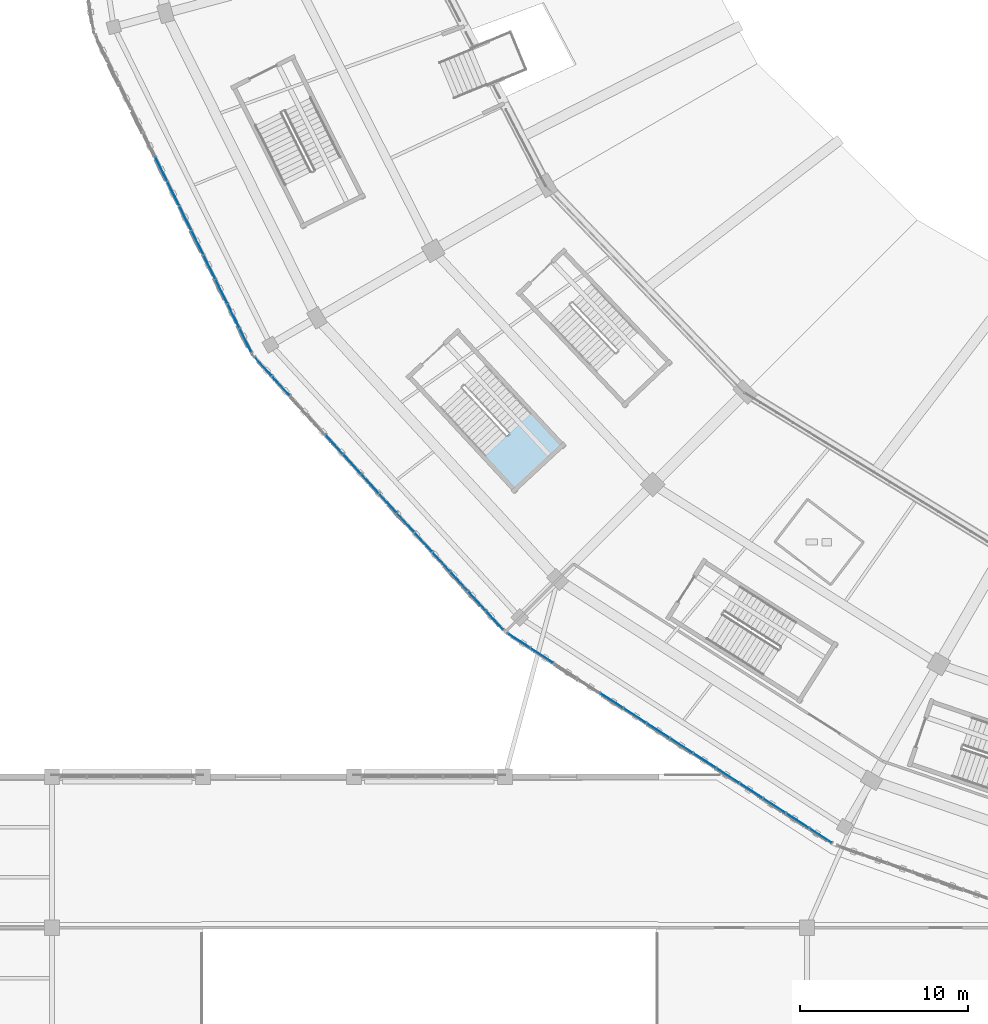
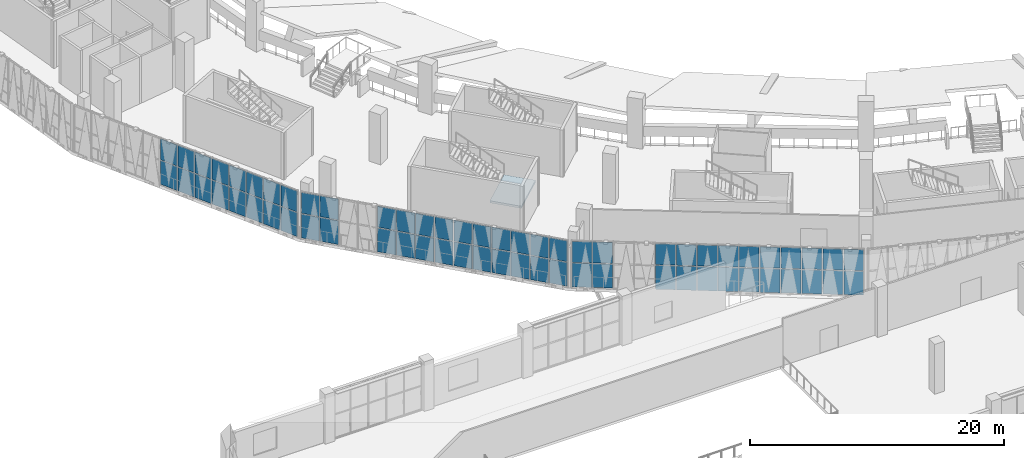
# One storey, part 73 of 183: 64 plates, 1 slab, 4 elements without a shape of their own.
"""IFC4 building model written with IfcOpenShell, lengths in metres."""

from ifc_helpers import new_model, si_unit, direction, frame, origin, origin_2d, place, context, subcontext, project, spatial, polyline, rectangle, outline, extrude, material, layer, layer_set, type_object, element, aggregate, save


model = new_model("IFC4")

# Units and contexts
model_context = context("Model", 3, precision=1e-05, world=origin(), true_north=direction((0.0, 1.0)))
body_context = subcontext(model_context, "Body", "Model", "MODEL_VIEW")
ifc_project = project(units=[si_unit("LENGTHUNIT", "METRE"), si_unit("AREAUNIT", "SQUARE_METRE"), si_unit("VOLUMEUNIT", "CUBIC_METRE"), si_unit("PLANEANGLEUNIT", "RADIAN"), si_unit("MASSUNIT", "GRAM", prefix="KILO")], contexts=[model_context])

# Site, building, storey
site_placement = place(None, origin())
site = spatial("IfcSite", under=ifc_project, at=site_placement, CompositionType="ELEMENT")
building_placement = place(site_placement, origin())
building = spatial("IfcBuilding", under=site, at=building_placement, Name="Zevraka Park Crest Stadium", CompositionType="ELEMENT")
storey_placement = place(building_placement, frame((0.0, 0.0, 5.39990234375)))
storey = spatial("IfcBuildingStorey", under=building, at=storey_placement, Name="L01", CompositionType="ELEMENT", Elevation=5.39990234375)

# Curtain wall, plates
ifc_material_1 = material(Name="Anodised architectural aluminium and laminated safety glass", Category="aluminium")
curtain_wall_type_1 = type_object("IfcCurtainWallType", Name="CW02", PredefinedType="NOTDEFINED", material=ifc_material_1)
curtain_wall_1_placement = place(storey_placement, origin())
curtain_wall_1 = element("IfcCurtainWall", 1, at=curtain_wall_1_placement, inside=storey, type_object=curtain_wall_type_1, Name="Unitised Ring Curtain Wall CW02 L01-13", PredefinedType="NOTDEFINED")
ifc_material_2 = material(Name="Solar-control laminated double glazing", Category="glass")
ifc_layer_1 = layer(ifc_material_2, 0.028076171875)
ifc_layer_set_1 = layer_set([ifc_layer_1], Name="Solar-control laminated double glazing")
plate_type_1 = type_object("IfcPlateType", Name="CP02", PredefinedType="CURTAIN_PANEL", material=ifc_layer_set_1)
plate_1_placement = place(storey_placement, frame((24.5185546875, 63.2197265625, 0.06494140625), z_axis=(0.0, 0.0, 1.0), x_axis=(0.44151730924, -0.897252732312, 0.0)))
plate_1 = element("IfcPlate", 2, at=plate_1_placement, type_object=plate_type_1, Name="CW02 panel 6.1", PredefinedType="CURTAIN_PANEL", context=body_context, shape_type="SweptSolid", body=[
    extrude(rectangle(XDim=1.5634765625, YDim=0.028076171875, at=origin_2d()), origin(), (0.0, 0.0, 1.0), 2.302490234375),
])
plate_2_placement = place(storey_placement, frame((24.5185546875, 63.2197265625, 2.4326171875), z_axis=(0.0, 0.0, 1.0), x_axis=(0.44151730924, -0.897252732312, 0.0)))
plate_2 = element("IfcPlate", 3, at=plate_2_placement, type_object=plate_type_1, Name="CW02 panel 6.2", PredefinedType="CURTAIN_PANEL", context=body_context, shape_type="SweptSolid", body=[
    extrude(rectangle(XDim=1.5634765625, YDim=0.028076171875, at=origin_2d()), origin(), (0.0, 0.0, 1.0), 2.0224609375),
])
plate_3_placement = place(storey_placement, frame((25.237548828125, 61.758544921875, 0.06494140625), z_axis=(0.0, 0.0, 1.0), x_axis=(0.44151730924, -0.897252732312, 0.0)))
plate_3 = element("IfcPlate", 4, at=plate_3_placement, type_object=plate_type_1, Name="CW02 panel 7.1", PredefinedType="CURTAIN_PANEL", context=body_context, shape_type="SweptSolid", body=[
    extrude(rectangle(XDim=1.5634765625, YDim=0.028076171875, at=origin_2d()), origin(), (0.0, 0.0, 1.0), 2.302490234375),
])
plate_4_placement = place(storey_placement, frame((25.237548828125, 61.758544921875, 2.4326171875), z_axis=(0.0, 0.0, 1.0), x_axis=(0.44151730924, -0.897252732312, 0.0)))
plate_4 = element("IfcPlate", 5, at=plate_4_placement, type_object=plate_type_1, Name="CW02 panel 7.2", PredefinedType="CURTAIN_PANEL", context=body_context, shape_type="SweptSolid", body=[
    extrude(rectangle(XDim=1.5634765625, YDim=0.028076171875, at=origin_2d()), origin(), (0.0, 0.0, 1.0), 2.0224609375),
])
plate_5_placement = place(storey_placement, frame((25.95654296875, 60.29736328125, 0.06494140625), z_axis=(0.0, 0.0, 1.0), x_axis=(0.44151730924, -0.897252732312, 0.0)))
plate_5 = element("IfcPlate", 6, at=plate_5_placement, type_object=plate_type_1, Name="CW02 panel 8.1", PredefinedType="CURTAIN_PANEL", context=body_context, shape_type="SweptSolid", body=[
    extrude(rectangle(XDim=1.5634765625, YDim=0.028076171875, at=origin_2d()), origin(), (0.0, 0.0, 1.0), 2.302490234375),
])
plate_6_placement = place(storey_placement, frame((25.95654296875, 60.29736328125, 2.4326171875), z_axis=(0.0, 0.0, 1.0), x_axis=(0.44151730924, -0.897252732312, 0.0)))
plate_6 = element("IfcPlate", 7, at=plate_6_placement, type_object=plate_type_1, Name="CW02 panel 8.2", PredefinedType="CURTAIN_PANEL", context=body_context, shape_type="SweptSolid", body=[
    extrude(rectangle(XDim=1.5634765625, YDim=0.028076171875, at=origin_2d()), origin(), (0.0, 0.0, 1.0), 2.0224609375),
])
plate_7_placement = place(storey_placement, frame((26.675537109375, 58.836181640625, 0.06494140625), z_axis=(0.0, 0.0, 1.0), x_axis=(0.44151730924, -0.897252732312, 0.0)))
plate_7 = element("IfcPlate", 8, at=plate_7_placement, type_object=plate_type_1, Name="CW02 panel 9.1", PredefinedType="CURTAIN_PANEL", context=body_context, shape_type="SweptSolid", body=[
    extrude(rectangle(XDim=1.5634765625, YDim=0.028076171875, at=origin_2d()), origin(), (0.0, 0.0, 1.0), 2.302490234375),
])
plate_8_placement = place(storey_placement, frame((26.675537109375, 58.836181640625, 2.4326171875), z_axis=(0.0, 0.0, 1.0), x_axis=(0.44151730924, -0.897252732312, 0.0)))
plate_8 = element("IfcPlate", 9, at=plate_8_placement, type_object=plate_type_1, Name="CW02 panel 9.2", PredefinedType="CURTAIN_PANEL", context=body_context, shape_type="SweptSolid", body=[
    extrude(rectangle(XDim=1.5634765625, YDim=0.028076171875, at=origin_2d()), origin(), (0.0, 0.0, 1.0), 2.0224609375),
])
plate_9_placement = place(storey_placement, frame((27.39453125, 57.375, 0.06494140625), z_axis=(0.0, 0.0, 1.0), x_axis=(0.44151730924, -0.897252732312, 0.0)))
plate_9 = element("IfcPlate", 10, at=plate_9_placement, type_object=plate_type_1, Name="CW02 panel 10.1", PredefinedType="CURTAIN_PANEL", context=body_context, shape_type="SweptSolid", body=[
    extrude(rectangle(XDim=1.5634765625, YDim=0.028076171875, at=origin_2d()), origin(), (0.0, 0.0, 1.0), 2.302490234375),
])
plate_10_placement = place(storey_placement, frame((27.39453125, 57.375, 2.4326171875), z_axis=(0.0, 0.0, 1.0), x_axis=(0.44151730924, -0.897252732312, 0.0)))
plate_10 = element("IfcPlate", 11, at=plate_10_placement, type_object=plate_type_1, Name="CW02 panel 10.2", PredefinedType="CURTAIN_PANEL", context=body_context, shape_type="SweptSolid", body=[
    extrude(rectangle(XDim=1.5634765625, YDim=0.028076171875, at=origin_2d()), origin(), (0.0, 0.0, 1.0), 2.0224609375),
])
plate_11_placement = place(storey_placement, frame((28.113525390625, 55.913818359375, 0.06494140625), z_axis=(0.0, 0.0, 1.0), x_axis=(0.44151730924, -0.897252732312, 0.0)))
plate_11 = element("IfcPlate", 12, at=plate_11_placement, type_object=plate_type_1, Name="CW02 panel 11.1", PredefinedType="CURTAIN_PANEL", context=body_context, shape_type="SweptSolid", body=[
    extrude(rectangle(XDim=1.5634765625, YDim=0.028076171875, at=origin_2d()), origin(), (0.0, 0.0, 1.0), 2.302490234375),
])
plate_12_placement = place(storey_placement, frame((28.113525390625, 55.913818359375, 2.4326171875), z_axis=(0.0, 0.0, 1.0), x_axis=(0.44151730924, -0.897252732312, 0.0)))
plate_12 = element("IfcPlate", 13, at=plate_12_placement, type_object=plate_type_1, Name="CW02 panel 11.2", PredefinedType="CURTAIN_PANEL", context=body_context, shape_type="SweptSolid", body=[
    extrude(rectangle(XDim=1.5634765625, YDim=0.028076171875, at=origin_2d()), origin(), (0.0, 0.0, 1.0), 2.0224609375),
])
plate_13_placement = place(storey_placement, frame((28.83251953125, 54.45263671875, 0.06494140625), z_axis=(0.0, 0.0, 1.0), x_axis=(0.44151730924, -0.897252732312, 0.0)))
plate_13 = element("IfcPlate", 14, at=plate_13_placement, type_object=plate_type_1, Name="CW02 panel 12.1", PredefinedType="CURTAIN_PANEL", context=body_context, shape_type="SweptSolid", body=[
    extrude(rectangle(XDim=1.5634765625, YDim=0.028076171875, at=origin_2d()), origin(), (0.0, 0.0, 1.0), 2.302490234375),
])
plate_14_placement = place(storey_placement, frame((28.83251953125, 54.45263671875, 2.4326171875), z_axis=(0.0, 0.0, 1.0), x_axis=(0.44151730924, -0.897252732312, 0.0)))
plate_14 = element("IfcPlate", 15, at=plate_14_placement, type_object=plate_type_1, Name="CW02 panel 12.2", PredefinedType="CURTAIN_PANEL", context=body_context, shape_type="SweptSolid", body=[
    extrude(rectangle(XDim=1.5634765625, YDim=0.028076171875, at=origin_2d()), origin(), (0.0, 0.0, 1.0), 2.0224609375),
])
plate_15_placement = place(storey_placement, frame((29.54443359375, 53.006103515625, 0.06494140625), z_axis=(0.0, 0.0, 1.0), x_axis=(0.44151730924, -0.897252732312, 0.0)))
plate_15 = element("IfcPlate", 16, at=plate_15_placement, type_object=plate_type_1, Name="CW02 panel 13.1", PredefinedType="CURTAIN_PANEL", context=body_context, shape_type="SweptSolid", body=[
    extrude(rectangle(XDim=1.531005859375, YDim=0.028076171875, at=origin_2d()), origin(), (0.0, 0.0, 1.0), 2.302490234375),
])
plate_16_placement = place(storey_placement, frame((29.54443359375, 53.006103515625, 2.4326171875), z_axis=(0.0, 0.0, 1.0), x_axis=(0.44151730924, -0.897252732312, 0.0)))
plate_16 = element("IfcPlate", 17, at=plate_16_placement, type_object=plate_type_1, Name="CW02 panel 13.2", PredefinedType="CURTAIN_PANEL", context=body_context, shape_type="SweptSolid", body=[
    extrude(rectangle(XDim=1.531005859375, YDim=0.028076171875, at=origin_2d()), origin(), (0.0, 0.0, 1.0), 2.0224609375),
])
aggregate(curtain_wall_1, [plate_1, plate_2, plate_3, plate_4, plate_5, plate_6, plate_7, plate_8, plate_9, plate_10, plate_11, plate_12, plate_13, plate_14, plate_15, plate_16])

ifc_material_3 = material(Name="Anodised architectural aluminium and laminated safety glass", Category="aluminium")
curtain_wall_type_2 = type_object("IfcCurtainWallType", Name="CW03", PredefinedType="NOTDEFINED", material=ifc_material_3)
curtain_wall_2_placement = place(storey_placement, origin())
curtain_wall_2 = element("IfcCurtainWall", 18, at=curtain_wall_2_placement, inside=storey, type_object=curtain_wall_type_2, Name="Unitised Ring Curtain Wall CW03 L01-14", PredefinedType="NOTDEFINED")
ifc_material_4 = material(Name="Solar-control laminated double glazing", Category="glass")
ifc_layer_2 = layer(ifc_material_4, 0.028076171875)
ifc_layer_set_2 = layer_set([ifc_layer_2], Name="Solar-control laminated double glazing")
plate_type_2 = type_object("IfcPlateType", Name="CP03", PredefinedType="CURTAIN_PANEL", material=ifc_layer_set_2)
plate_17_placement = place(storey_placement, frame((30.59716796875, 51.4541015625, 0.070068359375), z_axis=(0.0, 0.0, 1.0), x_axis=(0.673679672672, -0.739023476371, 0.0)))
plate_17 = element("IfcPlate", 19, at=plate_17_placement, type_object=plate_type_2, Name="CW03 panel 1.1", PredefinedType="CURTAIN_PANEL", context=body_context, shape_type="SweptSolid", body=[
    extrude(rectangle(XDim=1.472412109375, YDim=0.028076171875, at=origin_2d()), origin(), (0.0, 0.0, 1.0), 2.294921875),
])
plate_18_placement = place(storey_placement, frame((30.59716796875, 51.4541015625, 2.43505859375), z_axis=(0.0, 0.0, 1.0), x_axis=(0.673679672672, -0.739023476371, 0.0)))
plate_18 = element("IfcPlate", 20, at=plate_18_placement, type_object=plate_type_2, Name="CW03 panel 1.2", PredefinedType="CURTAIN_PANEL", context=body_context, shape_type="SweptSolid", body=[
    extrude(rectangle(XDim=1.472412109375, YDim=0.028076171875, at=origin_2d()), origin(), (0.0, 0.0, 1.0), 2.014892578125),
])
plate_19_placement = place(storey_placement, frame((31.64794921875, 50.301513671875, 0.070068359375), z_axis=(0.0, 0.0, 1.0), x_axis=(0.673679672672, -0.739023476371, 0.0)))
plate_19 = element("IfcPlate", 21, at=plate_19_placement, type_object=plate_type_2, Name="CW03 panel 2.1", PredefinedType="CURTAIN_PANEL", context=body_context, shape_type="SweptSolid", body=[
    extrude(rectangle(XDim=1.50732421875, YDim=0.028076171875, at=origin_2d()), origin(), (0.0, 0.0, 1.0), 2.294921875),
])
plate_20_placement = place(storey_placement, frame((31.64794921875, 50.301513671875, 2.43505859375), z_axis=(0.0, 0.0, 1.0), x_axis=(0.673679672672, -0.739023476371, 0.0)))
plate_20 = element("IfcPlate", 22, at=plate_20_placement, type_object=plate_type_2, Name="CW03 panel 2.2", PredefinedType="CURTAIN_PANEL", context=body_context, shape_type="SweptSolid", body=[
    extrude(rectangle(XDim=1.50732421875, YDim=0.028076171875, at=origin_2d()), origin(), (0.0, 0.0, 1.0), 2.014892578125),
])
plate_21_placement = place(storey_placement, frame((34.8359375, 46.80419921875, 0.070068359375), z_axis=(0.0, 0.0, 1.0), x_axis=(0.673679672672, -0.739023476371, 0.0)))
plate_21 = element("IfcPlate", 23, at=plate_21_placement, type_object=plate_type_2, Name="CW03 panel 5.1", PredefinedType="CURTAIN_PANEL", context=body_context, shape_type="SweptSolid", body=[
    extrude(rectangle(XDim=1.50732421875, YDim=0.028076171875, at=origin_2d()), origin(), (0.0, 0.0, 1.0), 2.294921875),
])
plate_22_placement = place(storey_placement, frame((34.8359375, 46.80419921875, 2.43505859375), z_axis=(0.0, 0.0, 1.0), x_axis=(0.673679672672, -0.739023476371, 0.0)))
plate_22 = element("IfcPlate", 24, at=plate_22_placement, type_object=plate_type_2, Name="CW03 panel 5.2", PredefinedType="CURTAIN_PANEL", context=body_context, shape_type="SweptSolid", body=[
    extrude(rectangle(XDim=1.50732421875, YDim=0.028076171875, at=origin_2d()), origin(), (0.0, 0.0, 1.0), 2.014892578125),
])
plate_23_placement = place(storey_placement, frame((35.8984375, 45.638671875, 0.070068359375), z_axis=(0.0, 0.0, 1.0), x_axis=(0.673679672672, -0.739023476371, 0.0)))
plate_23 = element("IfcPlate", 25, at=plate_23_placement, type_object=plate_type_2, Name="CW03 panel 6.1", PredefinedType="CURTAIN_PANEL", context=body_context, shape_type="SweptSolid", body=[
    extrude(rectangle(XDim=1.50732421875, YDim=0.028076171875, at=origin_2d()), origin(), (0.0, 0.0, 1.0), 2.294921875),
])
plate_24_placement = place(storey_placement, frame((35.8984375, 45.638671875, 2.43505859375), z_axis=(0.0, 0.0, 1.0), x_axis=(0.673679672672, -0.739023476371, 0.0)))
plate_24 = element("IfcPlate", 26, at=plate_24_placement, type_object=plate_type_2, Name="CW03 panel 6.2", PredefinedType="CURTAIN_PANEL", context=body_context, shape_type="SweptSolid", body=[
    extrude(rectangle(XDim=1.50732421875, YDim=0.028076171875, at=origin_2d()), origin(), (0.0, 0.0, 1.0), 2.014892578125),
])
plate_25_placement = place(storey_placement, frame((36.961181640625, 44.472900390625, 0.070068359375), z_axis=(0.0, 0.0, 1.0), x_axis=(0.673679672672, -0.739023476371, 0.0)))
plate_25 = element("IfcPlate", 27, at=plate_25_placement, type_object=plate_type_2, Name="CW03 panel 7.1", PredefinedType="CURTAIN_PANEL", context=body_context, shape_type="SweptSolid", body=[
    extrude(rectangle(XDim=1.50732421875, YDim=0.028076171875, at=origin_2d()), origin(), (0.0, 0.0, 1.0), 2.294921875),
])
plate_26_placement = place(storey_placement, frame((36.961181640625, 44.472900390625, 2.43505859375), z_axis=(0.0, 0.0, 1.0), x_axis=(0.673679672672, -0.739023476371, 0.0)))
plate_26 = element("IfcPlate", 28, at=plate_26_placement, type_object=plate_type_2, Name="CW03 panel 7.2", PredefinedType="CURTAIN_PANEL", context=body_context, shape_type="SweptSolid", body=[
    extrude(rectangle(XDim=1.50732421875, YDim=0.028076171875, at=origin_2d()), origin(), (0.0, 0.0, 1.0), 2.014892578125),
])
plate_27_placement = place(storey_placement, frame((38.02392578125, 43.30712890625, 0.070068359375), z_axis=(0.0, 0.0, 1.0), x_axis=(0.673679672672, -0.739023476371, 0.0)))
plate_27 = element("IfcPlate", 29, at=plate_27_placement, type_object=plate_type_2, Name="CW03 panel 8.1", PredefinedType="CURTAIN_PANEL", context=body_context, shape_type="SweptSolid", body=[
    extrude(rectangle(XDim=1.50732421875, YDim=0.028076171875, at=origin_2d()), origin(), (0.0, 0.0, 1.0), 2.294921875),
])
plate_28_placement = place(storey_placement, frame((38.02392578125, 43.30712890625, 2.43505859375), z_axis=(0.0, 0.0, 1.0), x_axis=(0.673679672672, -0.739023476371, 0.0)))
plate_28 = element("IfcPlate", 30, at=plate_28_placement, type_object=plate_type_2, Name="CW03 panel 8.2", PredefinedType="CURTAIN_PANEL", context=body_context, shape_type="SweptSolid", body=[
    extrude(rectangle(XDim=1.50732421875, YDim=0.028076171875, at=origin_2d()), origin(), (0.0, 0.0, 1.0), 2.014892578125),
])
plate_29_placement = place(storey_placement, frame((39.08642578125, 42.141357421875, 0.070068359375), z_axis=(0.0, 0.0, 1.0), x_axis=(0.673679672672, -0.739023476371, 0.0)))
plate_29 = element("IfcPlate", 31, at=plate_29_placement, type_object=plate_type_2, Name="CW03 panel 9.1", PredefinedType="CURTAIN_PANEL", context=body_context, shape_type="SweptSolid", body=[
    extrude(rectangle(XDim=1.50732421875, YDim=0.028076171875, at=origin_2d()), origin(), (0.0, 0.0, 1.0), 2.294921875),
])
plate_30_placement = place(storey_placement, frame((39.08642578125, 42.141357421875, 2.43505859375), z_axis=(0.0, 0.0, 1.0), x_axis=(0.673679672672, -0.739023476371, 0.0)))
plate_30 = element("IfcPlate", 32, at=plate_30_placement, type_object=plate_type_2, Name="CW03 panel 9.2", PredefinedType="CURTAIN_PANEL", context=body_context, shape_type="SweptSolid", body=[
    extrude(rectangle(XDim=1.50732421875, YDim=0.028076171875, at=origin_2d()), origin(), (0.0, 0.0, 1.0), 2.014892578125),
])
plate_31_placement = place(storey_placement, frame((40.149169921875, 40.975830078125, 0.070068359375), z_axis=(0.0, 0.0, 1.0), x_axis=(0.673679672672, -0.739023476371, 0.0)))
plate_31 = element("IfcPlate", 33, at=plate_31_placement, type_object=plate_type_2, Name="CW03 panel 10.1", PredefinedType="CURTAIN_PANEL", context=body_context, shape_type="SweptSolid", body=[
    extrude(rectangle(XDim=1.50732421875, YDim=0.028076171875, at=origin_2d()), origin(), (0.0, 0.0, 1.0), 2.294921875),
])
plate_32_placement = place(storey_placement, frame((40.149169921875, 40.975830078125, 2.43505859375), z_axis=(0.0, 0.0, 1.0), x_axis=(0.673679672672, -0.739023476371, 0.0)))
plate_32 = element("IfcPlate", 34, at=plate_32_placement, type_object=plate_type_2, Name="CW03 panel 10.2", PredefinedType="CURTAIN_PANEL", context=body_context, shape_type="SweptSolid", body=[
    extrude(rectangle(XDim=1.50732421875, YDim=0.028076171875, at=origin_2d()), origin(), (0.0, 0.0, 1.0), 2.014892578125),
])
plate_33_placement = place(storey_placement, frame((41.211669921875, 39.81005859375, 0.070068359375), z_axis=(0.0, 0.0, 1.0), x_axis=(0.673679672672, -0.739023476371, 0.0)))
plate_33 = element("IfcPlate", 35, at=plate_33_placement, type_object=plate_type_2, Name="CW03 panel 11.1", PredefinedType="CURTAIN_PANEL", context=body_context, shape_type="SweptSolid", body=[
    extrude(rectangle(XDim=1.50732421875, YDim=0.028076171875, at=origin_2d()), origin(), (0.0, 0.0, 1.0), 2.294921875),
])
plate_34_placement = place(storey_placement, frame((41.211669921875, 39.81005859375, 2.43505859375), z_axis=(0.0, 0.0, 1.0), x_axis=(0.673679672672, -0.739023476371, 0.0)))
plate_34 = element("IfcPlate", 36, at=plate_34_placement, type_object=plate_type_2, Name="CW03 panel 11.2", PredefinedType="CURTAIN_PANEL", context=body_context, shape_type="SweptSolid", body=[
    extrude(rectangle(XDim=1.50732421875, YDim=0.028076171875, at=origin_2d()), origin(), (0.0, 0.0, 1.0), 2.014892578125),
])
plate_35_placement = place(storey_placement, frame((42.2744140625, 38.644287109375, 0.070068359375), z_axis=(0.0, 0.0, 1.0), x_axis=(0.673679672672, -0.739023476371, 0.0)))
plate_35 = element("IfcPlate", 37, at=plate_35_placement, type_object=plate_type_2, Name="CW03 panel 12.1", PredefinedType="CURTAIN_PANEL", context=body_context, shape_type="SweptSolid", body=[
    extrude(rectangle(XDim=1.50732421875, YDim=0.028076171875, at=origin_2d()), origin(), (0.0, 0.0, 1.0), 2.294921875),
])
plate_36_placement = place(storey_placement, frame((42.2744140625, 38.644287109375, 2.43505859375), z_axis=(0.0, 0.0, 1.0), x_axis=(0.673679672672, -0.739023476371, 0.0)))
plate_36 = element("IfcPlate", 38, at=plate_36_placement, type_object=plate_type_2, Name="CW03 panel 12.2", PredefinedType="CURTAIN_PANEL", context=body_context, shape_type="SweptSolid", body=[
    extrude(rectangle(XDim=1.50732421875, YDim=0.028076171875, at=origin_2d()), origin(), (0.0, 0.0, 1.0), 2.014892578125),
])
plate_37_placement = place(storey_placement, frame((43.3369140625, 37.478515625, 0.070068359375), z_axis=(0.0, 0.0, 1.0), x_axis=(0.673679672672, -0.739023476371, 0.0)))
plate_37 = element("IfcPlate", 39, at=plate_37_placement, type_object=plate_type_2, Name="CW03 panel 13.1", PredefinedType="CURTAIN_PANEL", context=body_context, shape_type="SweptSolid", body=[
    extrude(rectangle(XDim=1.50732421875, YDim=0.028076171875, at=origin_2d()), origin(), (0.0, 0.0, 1.0), 2.294921875),
])
plate_38_placement = place(storey_placement, frame((43.3369140625, 37.478515625, 2.43505859375), z_axis=(0.0, 0.0, 1.0), x_axis=(0.673679672672, -0.739023476371, 0.0)))
plate_38 = element("IfcPlate", 40, at=plate_38_placement, type_object=plate_type_2, Name="CW03 panel 13.2", PredefinedType="CURTAIN_PANEL", context=body_context, shape_type="SweptSolid", body=[
    extrude(rectangle(XDim=1.50732421875, YDim=0.028076171875, at=origin_2d()), origin(), (0.0, 0.0, 1.0), 2.014892578125),
])
plate_39_placement = place(storey_placement, frame((44.387939453125, 36.32568359375, 0.070068359375), z_axis=(0.0, 0.0, 1.0), x_axis=(0.673679672672, -0.739023476371, 0.0)))
plate_39 = element("IfcPlate", 41, at=plate_39_placement, type_object=plate_type_2, Name="CW03 panel 14.1", PredefinedType="CURTAIN_PANEL", context=body_context, shape_type="SweptSolid", body=[
    extrude(rectangle(XDim=1.472412109375, YDim=0.028076171875, at=origin_2d()), origin(), (0.0, 0.0, 1.0), 2.294921875),
])
plate_40_placement = place(storey_placement, frame((44.387939453125, 36.32568359375, 2.43505859375), z_axis=(0.0, 0.0, 1.0), x_axis=(0.673679672672, -0.739023476371, 0.0)))
plate_40 = element("IfcPlate", 42, at=plate_40_placement, type_object=plate_type_2, Name="CW03 panel 14.2", PredefinedType="CURTAIN_PANEL", context=body_context, shape_type="SweptSolid", body=[
    extrude(rectangle(XDim=1.472412109375, YDim=0.028076171875, at=origin_2d()), origin(), (0.0, 0.0, 1.0), 2.014892578125),
])
aggregate(curtain_wall_2, [plate_17, plate_18, plate_19, plate_20, plate_21, plate_22, plate_23, plate_24, plate_25, plate_26, plate_27, plate_28, plate_29, plate_30, plate_31, plate_32, plate_33, plate_34, plate_35, plate_36, plate_37, plate_38, plate_39, plate_40])

curtain_wall_3_placement = place(storey_placement, origin())
curtain_wall_3 = element("IfcCurtainWall", 43, at=curtain_wall_3_placement, inside=storey, type_object=curtain_wall_type_2, Name="Unitised Ring Curtain Wall CW03 L01-15", PredefinedType="NOTDEFINED")
plate_41_placement = place(storey_placement, frame((45.83447265625, 35.10693359375, 0.070068359375), z_axis=(0.0, 0.0, 1.0), x_axis=(0.840010186018, -0.542570628938, 0.0)))
plate_41 = element("IfcPlate", 44, at=plate_41_placement, type_object=plate_type_2, Name="CW03 panel 1.1", PredefinedType="CURTAIN_PANEL", context=body_context, shape_type="SweptSolid", body=[
    extrude(rectangle(XDim=1.54443359375, YDim=0.028076171875, at=origin_2d()), origin(), (0.0, 0.0, 1.0), 2.294921875),
])
plate_42_placement = place(storey_placement, frame((45.83447265625, 35.10693359375, 2.43505859375), z_axis=(0.0, 0.0, 1.0), x_axis=(0.840010186018, -0.542570628938, 0.0)))
plate_42 = element("IfcPlate", 45, at=plate_42_placement, type_object=plate_type_2, Name="CW03 panel 1.2", PredefinedType="CURTAIN_PANEL", context=body_context, shape_type="SweptSolid", body=[
    extrude(rectangle(XDim=1.54443359375, YDim=0.028076171875, at=origin_2d()), origin(), (0.0, 0.0, 1.0), 2.014892578125),
])
plate_43_placement = place(storey_placement, frame((47.20556640625, 34.221435546875, 0.070068359375), z_axis=(0.0, 0.0, 1.0), x_axis=(0.840010186018, -0.542570628938, 0.0)))
plate_43 = element("IfcPlate", 46, at=plate_43_placement, type_object=plate_type_2, Name="CW03 panel 2.1", PredefinedType="CURTAIN_PANEL", context=body_context, shape_type="SweptSolid", body=[
    extrude(rectangle(XDim=1.57958984375, YDim=0.028076171875, at=origin_2d()), origin(), (0.0, 0.0, 1.0), 2.294921875),
])
plate_44_placement = place(storey_placement, frame((47.20556640625, 34.221435546875, 2.43505859375), z_axis=(0.0, 0.0, 1.0), x_axis=(0.840010186018, -0.542570628938, 0.0)))
plate_44 = element("IfcPlate", 47, at=plate_44_placement, type_object=plate_type_2, Name="CW03 panel 2.2", PredefinedType="CURTAIN_PANEL", context=body_context, shape_type="SweptSolid", body=[
    extrude(rectangle(XDim=1.57958984375, YDim=0.028076171875, at=origin_2d()), origin(), (0.0, 0.0, 1.0), 2.014892578125),
])
plate_45_placement = place(storey_placement, frame((51.3623046875, 31.53662109375, 0.070068359375), z_axis=(0.0, 0.0, 1.0), x_axis=(0.840010186018, -0.542570628938, 0.0)))
plate_45 = element("IfcPlate", 48, at=plate_45_placement, type_object=plate_type_2, Name="CW03 panel 5.1", PredefinedType="CURTAIN_PANEL", context=body_context, shape_type="SweptSolid", body=[
    extrude(rectangle(XDim=1.57958984375, YDim=0.028076171875, at=origin_2d()), origin(), (0.0, 0.0, 1.0), 2.294921875),
])
plate_46_placement = place(storey_placement, frame((51.3623046875, 31.53662109375, 2.43505859375), z_axis=(0.0, 0.0, 1.0), x_axis=(0.840010186018, -0.542570628938, 0.0)))
plate_46 = element("IfcPlate", 49, at=plate_46_placement, type_object=plate_type_2, Name="CW03 panel 5.2", PredefinedType="CURTAIN_PANEL", context=body_context, shape_type="SweptSolid", body=[
    extrude(rectangle(XDim=1.57958984375, YDim=0.028076171875, at=origin_2d()), origin(), (0.0, 0.0, 1.0), 2.014892578125),
])
plate_47_placement = place(storey_placement, frame((52.748046875, 30.6416015625, 0.070068359375), z_axis=(0.0, 0.0, 1.0), x_axis=(0.840010186018, -0.542570628938, 0.0)))
plate_47 = element("IfcPlate", 50, at=plate_47_placement, type_object=plate_type_2, Name="CW03 panel 6.1", PredefinedType="CURTAIN_PANEL", context=body_context, shape_type="SweptSolid", body=[
    extrude(rectangle(XDim=1.57958984375, YDim=0.028076171875, at=origin_2d()), origin(), (0.0, 0.0, 1.0), 2.294921875),
])
plate_48_placement = place(storey_placement, frame((52.748046875, 30.6416015625, 2.43505859375), z_axis=(0.0, 0.0, 1.0), x_axis=(0.840010186018, -0.542570628938, 0.0)))
plate_48 = element("IfcPlate", 51, at=plate_48_placement, type_object=plate_type_2, Name="CW03 panel 6.2", PredefinedType="CURTAIN_PANEL", context=body_context, shape_type="SweptSolid", body=[
    extrude(rectangle(XDim=1.57958984375, YDim=0.028076171875, at=origin_2d()), origin(), (0.0, 0.0, 1.0), 2.014892578125),
])
plate_49_placement = place(storey_placement, frame((54.1337890625, 29.74658203125, 0.070068359375), z_axis=(0.0, 0.0, 1.0), x_axis=(0.840010186018, -0.542570628938, 0.0)))
plate_49 = element("IfcPlate", 52, at=plate_49_placement, type_object=plate_type_2, Name="CW03 panel 7.1", PredefinedType="CURTAIN_PANEL", context=body_context, shape_type="SweptSolid", body=[
    extrude(rectangle(XDim=1.57958984375, YDim=0.028076171875, at=origin_2d()), origin(), (0.0, 0.0, 1.0), 2.294921875),
])
plate_50_placement = place(storey_placement, frame((54.1337890625, 29.74658203125, 2.43505859375), z_axis=(0.0, 0.0, 1.0), x_axis=(0.840010186018, -0.542570628938, 0.0)))
plate_50 = element("IfcPlate", 53, at=plate_50_placement, type_object=plate_type_2, Name="CW03 panel 7.2", PredefinedType="CURTAIN_PANEL", context=body_context, shape_type="SweptSolid", body=[
    extrude(rectangle(XDim=1.57958984375, YDim=0.028076171875, at=origin_2d()), origin(), (0.0, 0.0, 1.0), 2.014892578125),
])
plate_51_placement = place(storey_placement, frame((55.519287109375, 28.8515625, 0.070068359375), z_axis=(0.0, 0.0, 1.0), x_axis=(0.840010186018, -0.542570628938, 0.0)))
plate_51 = element("IfcPlate", 54, at=plate_51_placement, type_object=plate_type_2, Name="CW03 panel 8.1", PredefinedType="CURTAIN_PANEL", context=body_context, shape_type="SweptSolid", body=[
    extrude(rectangle(XDim=1.57958984375, YDim=0.028076171875, at=origin_2d()), origin(), (0.0, 0.0, 1.0), 2.294921875),
])
plate_52_placement = place(storey_placement, frame((55.519287109375, 28.8515625, 2.43505859375), z_axis=(0.0, 0.0, 1.0), x_axis=(0.840010186018, -0.542570628938, 0.0)))
plate_52 = element("IfcPlate", 55, at=plate_52_placement, type_object=plate_type_2, Name="CW03 panel 8.2", PredefinedType="CURTAIN_PANEL", context=body_context, shape_type="SweptSolid", body=[
    extrude(rectangle(XDim=1.57958984375, YDim=0.028076171875, at=origin_2d()), origin(), (0.0, 0.0, 1.0), 2.014892578125),
])
plate_53_placement = place(storey_placement, frame((56.905029296875, 27.95654296875, 0.070068359375), z_axis=(0.0, 0.0, 1.0), x_axis=(0.840010186018, -0.542570628938, 0.0)))
plate_53 = element("IfcPlate", 56, at=plate_53_placement, type_object=plate_type_2, Name="CW03 panel 9.1", PredefinedType="CURTAIN_PANEL", context=body_context, shape_type="SweptSolid", body=[
    extrude(rectangle(XDim=1.57958984375, YDim=0.028076171875, at=origin_2d()), origin(), (0.0, 0.0, 1.0), 2.294921875),
])
plate_54_placement = place(storey_placement, frame((56.905029296875, 27.95654296875, 2.43505859375), z_axis=(0.0, 0.0, 1.0), x_axis=(0.840010186018, -0.542570628938, 0.0)))
plate_54 = element("IfcPlate", 57, at=plate_54_placement, type_object=plate_type_2, Name="CW03 panel 9.2", PredefinedType="CURTAIN_PANEL", context=body_context, shape_type="SweptSolid", body=[
    extrude(rectangle(XDim=1.57958984375, YDim=0.028076171875, at=origin_2d()), origin(), (0.0, 0.0, 1.0), 2.014892578125),
])
plate_55_placement = place(storey_placement, frame((58.29052734375, 27.0615234375, 0.070068359375), z_axis=(0.0, 0.0, 1.0), x_axis=(0.840010186018, -0.542570628938, 0.0)))
plate_55 = element("IfcPlate", 58, at=plate_55_placement, type_object=plate_type_2, Name="CW03 panel 10.1", PredefinedType="CURTAIN_PANEL", context=body_context, shape_type="SweptSolid", body=[
    extrude(rectangle(XDim=1.57958984375, YDim=0.028076171875, at=origin_2d()), origin(), (0.0, 0.0, 1.0), 2.294921875),
])
plate_56_placement = place(storey_placement, frame((58.29052734375, 27.0615234375, 2.43505859375), z_axis=(0.0, 0.0, 1.0), x_axis=(0.840010186018, -0.542570628938, 0.0)))
plate_56 = element("IfcPlate", 59, at=plate_56_placement, type_object=plate_type_2, Name="CW03 panel 10.2", PredefinedType="CURTAIN_PANEL", context=body_context, shape_type="SweptSolid", body=[
    extrude(rectangle(XDim=1.57958984375, YDim=0.028076171875, at=origin_2d()), origin(), (0.0, 0.0, 1.0), 2.014892578125),
])
plate_57_placement = place(storey_placement, frame((59.67626953125, 26.16650390625, 0.070068359375), z_axis=(0.0, 0.0, 1.0), x_axis=(0.840010186018, -0.542570628938, 0.0)))
plate_57 = element("IfcPlate", 60, at=plate_57_placement, type_object=plate_type_2, Name="CW03 panel 11.1", PredefinedType="CURTAIN_PANEL", context=body_context, shape_type="SweptSolid", body=[
    extrude(rectangle(XDim=1.57958984375, YDim=0.028076171875, at=origin_2d()), origin(), (0.0, 0.0, 1.0), 2.294921875),
])
plate_58_placement = place(storey_placement, frame((59.67626953125, 26.16650390625, 2.43505859375), z_axis=(0.0, 0.0, 1.0), x_axis=(0.840010186018, -0.542570628938, 0.0)))
plate_58 = element("IfcPlate", 61, at=plate_58_placement, type_object=plate_type_2, Name="CW03 panel 11.2", PredefinedType="CURTAIN_PANEL", context=body_context, shape_type="SweptSolid", body=[
    extrude(rectangle(XDim=1.57958984375, YDim=0.028076171875, at=origin_2d()), origin(), (0.0, 0.0, 1.0), 2.014892578125),
])
plate_59_placement = place(storey_placement, frame((61.06201171875, 25.271484375, 0.070068359375), z_axis=(0.0, 0.0, 1.0), x_axis=(0.840010186018, -0.542570628938, 0.0)))
plate_59 = element("IfcPlate", 62, at=plate_59_placement, type_object=plate_type_2, Name="CW03 panel 12.1", PredefinedType="CURTAIN_PANEL", context=body_context, shape_type="SweptSolid", body=[
    extrude(rectangle(XDim=1.57958984375, YDim=0.028076171875, at=origin_2d()), origin(), (0.0, 0.0, 1.0), 2.294921875),
])
plate_60_placement = place(storey_placement, frame((61.06201171875, 25.271484375, 2.43505859375), z_axis=(0.0, 0.0, 1.0), x_axis=(0.840010186018, -0.542570628938, 0.0)))
plate_60 = element("IfcPlate", 63, at=plate_60_placement, type_object=plate_type_2, Name="CW03 panel 12.2", PredefinedType="CURTAIN_PANEL", context=body_context, shape_type="SweptSolid", body=[
    extrude(rectangle(XDim=1.57958984375, YDim=0.028076171875, at=origin_2d()), origin(), (0.0, 0.0, 1.0), 2.014892578125),
])
plate_61_placement = place(storey_placement, frame((62.447509765625, 24.37646484375, 0.070068359375), z_axis=(0.0, 0.0, 1.0), x_axis=(0.840010186018, -0.542570628938, 0.0)))
plate_61 = element("IfcPlate", 64, at=plate_61_placement, type_object=plate_type_2, Name="CW03 panel 13.1", PredefinedType="CURTAIN_PANEL", context=body_context, shape_type="SweptSolid", body=[
    extrude(rectangle(XDim=1.57958984375, YDim=0.028076171875, at=origin_2d()), origin(), (0.0, 0.0, 1.0), 2.294921875),
])
plate_62_placement = place(storey_placement, frame((62.447509765625, 24.37646484375, 2.43505859375), z_axis=(0.0, 0.0, 1.0), x_axis=(0.840010186018, -0.542570628938, 0.0)))
plate_62 = element("IfcPlate", 65, at=plate_62_placement, type_object=plate_type_2, Name="CW03 panel 13.2", PredefinedType="CURTAIN_PANEL", context=body_context, shape_type="SweptSolid", body=[
    extrude(rectangle(XDim=1.57958984375, YDim=0.028076171875, at=origin_2d()), origin(), (0.0, 0.0, 1.0), 2.014892578125),
])
plate_63_placement = place(storey_placement, frame((63.818359375, 23.490966796875, 0.070068359375), z_axis=(0.0, 0.0, 1.0), x_axis=(0.840010186018, -0.542570628938, 0.0)))
plate_63 = element("IfcPlate", 66, at=plate_63_placement, type_object=plate_type_2, Name="CW03 panel 14.1", PredefinedType="CURTAIN_PANEL", context=body_context, shape_type="SweptSolid", body=[
    extrude(rectangle(XDim=1.54443359375, YDim=0.028076171875, at=origin_2d()), origin(), (0.0, 0.0, 1.0), 2.294921875),
])
plate_64_placement = place(storey_placement, frame((63.818359375, 23.490966796875, 2.43505859375), z_axis=(0.0, 0.0, 1.0), x_axis=(0.840010186018, -0.542570628938, 0.0)))
plate_64 = element("IfcPlate", 67, at=plate_64_placement, type_object=plate_type_2, Name="CW03 panel 14.2", PredefinedType="CURTAIN_PANEL", context=body_context, shape_type="SweptSolid", body=[
    extrude(rectangle(XDim=1.54443359375, YDim=0.028076171875, at=origin_2d()), origin(), (0.0, 0.0, 1.0), 2.014892578125),
])
aggregate(curtain_wall_3, [plate_41, plate_42, plate_43, plate_44, plate_45, plate_46, plate_47, plate_48, plate_49, plate_50, plate_51, plate_52, plate_53, plate_54, plate_55, plate_56, plate_57, plate_58, plate_59, plate_60, plate_61, plate_62, plate_63, plate_64])

# Stair, slab
ifc_material_5 = material(Name="Concrete C35/45", Category="concrete")
stair_type = type_object("IfcStairType", Name="STA2", PredefinedType="HALF_TURN_STAIR", material=ifc_material_5)
stair_placement = place(storey_placement, origin())
stair = element("IfcStair", 68, at=stair_placement, inside=storey, type_object=stair_type, Name="L01 Protected Concourse Exit Stair ST15", PredefinedType="HALF_TURN_STAIR")
ifc_material_6 = material(Name="Concrete C35/45", Category="concrete")
ifc_layer_3 = layer(ifc_material_6, 0.199951171875)
ifc_layer_set_3 = layer_set([ifc_layer_3], Name="Concrete C35/45")
slab_type = type_object("IfcSlabType", Name="LS01", PredefinedType="LANDING", material=ifc_layer_set_3)
slab_placement = place(storey_placement, frame((0.0, 0.0, 2.2001953125)))
slab = element("IfcSlab", 69, at=slab_placement, type_object=slab_type, Name="ST15 landing 1", PredefinedType="LANDING", context=body_context, shape_type="SweptSolid", body=[
    extrude(outline(polyline([(43.807861328125, 46.103759765625), (45.583251953125, 44.190673828125), (48.33935546875, 46.748291015625), (46.563720703125, 48.661376953125), (43.807861328125, 46.103759765625)])), origin(), (0.0, 0.0, 1.0), 0.199951171875),
])
aggregate(stair, [slab])

save(model, "model.ifc")
